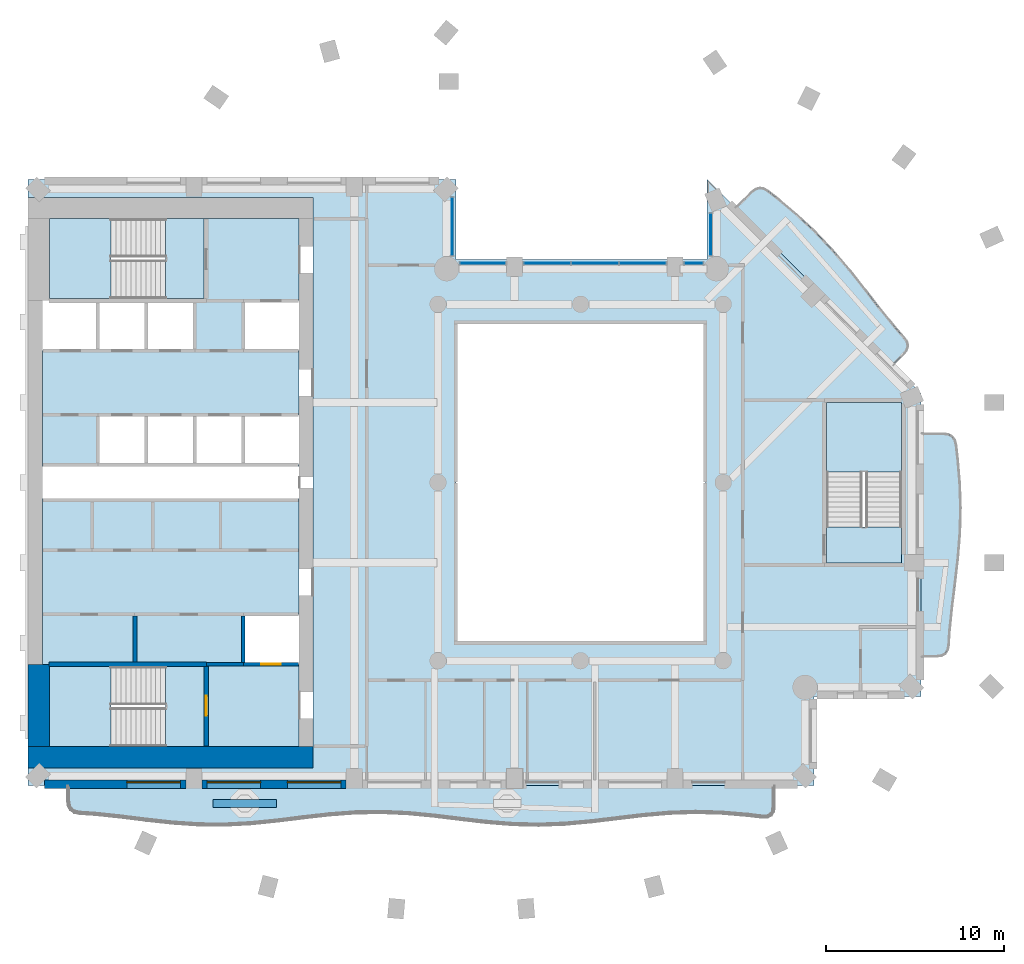
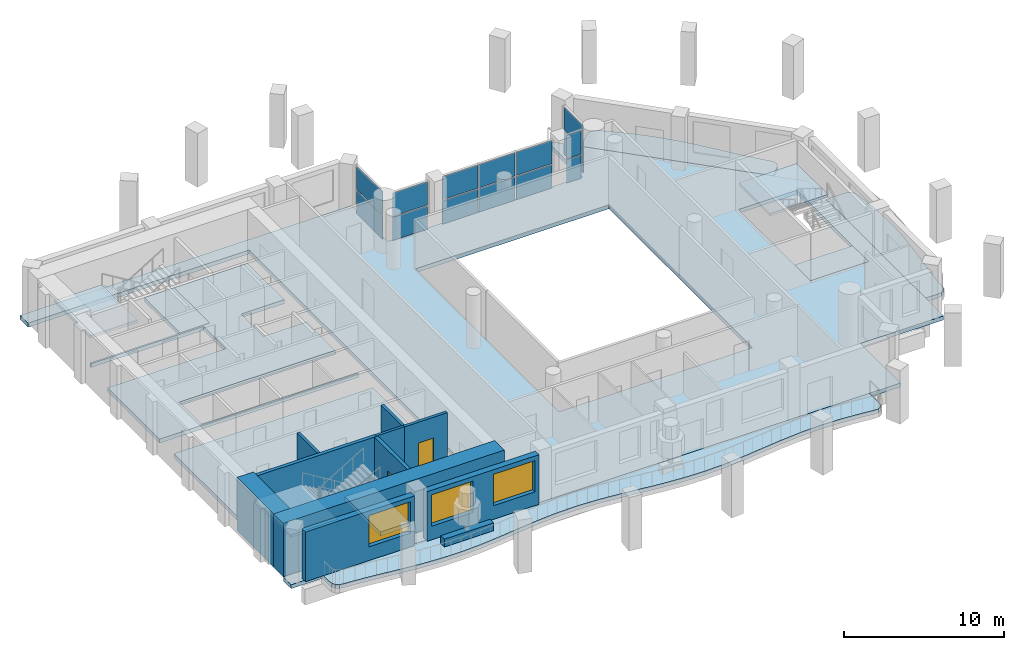
# One storey, part 3 of 14: 14 plates, 12 slabs, 11 walls, 3 windows, 2 doors, 5 openings, 8 elements without a shape of their own.
"""IFC4 building model written with IfcOpenShell, lengths in metres."""

from ifc_helpers import new_model, si_unit, direction, frame, frame_2d, origin, origin_2d, place, context, subcontext, project, spatial, polyline, rectangle, outline, extrude, material, layer, layer_set, type_object, element, fill, aggregate, save


model = new_model("IFC4")

# Units and contexts
model_context = context("Model", 3, precision=1e-05, world=origin(), true_north=direction((0.0, 1.0)))
body_context = subcontext(model_context, "Body", "Model", "MODEL_VIEW")
ifc_project = project(units=[si_unit("LENGTHUNIT", "METRE"), si_unit("AREAUNIT", "SQUARE_METRE"), si_unit("VOLUMEUNIT", "CUBIC_METRE"), si_unit("PLANEANGLEUNIT", "RADIAN"), si_unit("MASSUNIT", "GRAM", prefix="KILO")], contexts=[model_context])

# Site, building, storey
site_placement = place(None, origin())
site = spatial("IfcSite", under=ifc_project, at=site_placement, CompositionType="ELEMENT")
building_placement = place(site_placement, origin())
building = spatial("IfcBuilding", under=site, at=building_placement, Name="Cypress Arch Tower", CompositionType="ELEMENT")
storey_placement = place(building_placement, frame((0.0, 0.0, 185.10009765625)))
storey = spatial("IfcBuildingStorey", under=building, at=storey_placement, Name="L40", CompositionType="ELEMENT", Elevation=185.10009765625)

# Slabs
ifc_material_1 = material(Name="Concrete C40/50", Category="concrete")
ifc_layer_1 = layer(ifc_material_1, 0.300048828125)
ifc_layer_set_1 = layer_set([ifc_layer_1], Name="Balcony slab BS300")
slab_type_1 = type_object("IfcSlabType", Name="Balcony slab BS300", PredefinedType="USERDEFINED", material=ifc_layer_set_1)
slab_1_placement = place(storey_placement, frame((0.0, 0.0, -0.300048828125)))
element("IfcSlab", 1, at=slab_1_placement, inside=storey, type_object=slab_type_1, Name="Balcony slab L40-B01", ObjectType="BALCONY SLAB", PredefinedType="USERDEFINED", context=body_context, shape_type="SweptSolid", body=[
    extrude(outline(polyline([(-27.75, -17.0), (-27.75, -17.85107421875), (-27.708740234375, -18.142822265625), (-27.5849609375, -18.35693359375), (-27.378662109375, -18.49365234375), (-27.090087890625, -18.552734375), (-26.283447265625, -18.602294921875), (-24.816650390625, -18.758056640625), (-23.35009765625, -18.939697265625), (-21.88330078125, -19.100830078125), (-20.416748046875, -19.19970703125), (-18.949951171875, -19.21142578125), (-17.4833984375, -19.132568359375), (-16.0166015625, -18.983642578125), (-14.550048828125, -18.802734375), (-13.083251953125, -18.63623046875), (-11.61669921875, -18.52685546875), (-10.14990234375, -18.502685546875), (-8.683349609375, -18.56982421875), (-7.216552734375, -18.711181640625), (-5.75, -18.890380859375), (-4.283447265625, -19.0615234375), (-2.816650390625, -19.1806640625), (-1.35009765625, -19.217529296875), (0.11669921875, -19.162353515625), (1.583251953125, -19.029296875), (3.050048828125, -18.852783203125), (4.5166015625, -18.677734375), (5.9833984375, -18.549072265625), (7.449951171875, -18.5), (8.916748046875, -18.54296875), (10.38330078125, -18.6669921875), (11.18994140625, -18.76220703125), (11.478759765625, -18.7548828125), (11.68505859375, -18.654541015625), (11.808837890625, -18.46142578125), (11.85009765625, -18.175537109375), (11.85009765625, -17.0), (-27.75, -17.0)])), origin(), (0.0, 0.0, 1.0), 0.300048828125),
])
slab_2_placement = place(storey_placement, frame((0.0, 0.0, -0.300048828125)))
element("IfcSlab", 2, at=slab_2_placement, inside=storey, type_object=slab_type_1, Name="Balcony slab L40-B04", ObjectType="BALCONY SLAB", PredefinedType="USERDEFINED", context=body_context, shape_type="SweptSolid", body=[
    extrude(outline(polyline([(20.10009765625, -9.75), (20.986083984375, -9.75), (21.262451171875, -9.7109375), (21.465087890625, -9.59375), (21.59423828125, -9.3984375), (21.649658203125, -9.125), (21.695556640625, -8.361083984375), (21.839599609375, -6.97216796875), (22.010986328125, -5.583251953125), (22.170654296875, -4.1943359375), (22.28125, -2.8056640625), (22.31787109375, -1.416748046875), (22.271484375, -0.02783203125), (22.1533203125, 1.361083984375), (22.063720703125, 2.125), (21.9921875, 2.3984375), (21.851318359375, 2.59375), (21.640869140625, 2.7109375), (21.361083984375, 2.75), (20.10009765625, 2.75), (20.10009765625, -9.75)])), origin(), (0.0, 0.0, 1.0), 0.300048828125),
])
slab_3_placement = place(storey_placement, frame((0.0, 0.0, -0.300048828125)))
element("IfcSlab", 3, at=slab_3_placement, inside=storey, type_object=slab_type_1, Name="Balcony slab L40-B05", ObjectType="BALCONY SLAB", PredefinedType="USERDEFINED", context=body_context, shape_type="SweptSolid", body=[
    extrude(outline(polyline([(18.509033203125, 6.591064453125), (19.13671875, 7.218505859375), (19.303955078125, 7.441162109375), (19.3642578125, 7.666748046875), (19.317626953125, 7.8955078125), (19.163818359375, 8.127685546875), (18.6572265625, 8.69873046875), (17.77880859375, 9.780029296875), (16.920166015625, 10.880859375), (16.052978515625, 11.973388671875), (15.15185546875, 13.03173828125), (14.198486328125, 14.037841796875), (13.18701171875, 14.986083984375), (12.124755859375, 15.883056640625), (11.522705078125, 16.35888671875), (11.279541015625, 16.50146484375), (11.042236328125, 16.5400390625), (10.811279296875, 16.47412109375), (10.586181640625, 16.304443359375), (9.69091796875, 15.408935546875), (18.509033203125, 6.591064453125)])), origin(), (0.0, 0.0, 1.0), 0.300048828125),
])
ifc_material_2 = material(Name="Concrete C40/50", Category="concrete")
ifc_layer_2 = layer(ifc_material_2, 0.300048828125)
ifc_layer_set_2 = layer_set([ifc_layer_2], Name="Core floor CF300")
slab_type_2 = type_object("IfcSlabType", Name="Core floor CF300", PredefinedType="FLOOR", material=ifc_layer_set_2)
slab_4_placement = place(storey_placement, frame((0.0, 0.0, -0.300048828125)))
element("IfcSlab", 4, at=slab_4_placement, inside=storey, type_object=slab_type_2, Name="Core floor", PredefinedType="FLOOR", context=body_context, shape_type="SweptSolid", body=[
    extrude(outline(polyline([(-28.800048828125, -10.199951171875), (-29.199951171875, -10.199951171875), (-29.199951171875, -0.89990234375), (-15.199951171875, -0.89990234375), (-14.800048828125, -0.89990234375), (-14.800048828125, -7.39990234375), (-15.199951171875, -7.39990234375), (-17.919921875, -7.39990234375), (-17.919921875, -10.199951171875), (-15.199951171875, -10.199951171875), (-14.800048828125, -10.199951171875), (-14.800048828125, -14.800048828125), (-15.199951171875, -14.800048828125), (-20.125, -14.800048828125), (-20.125, -10.324951171875), (-22.27490234375, -10.324951171875), (-28.800048828125, -10.324951171875), (-28.800048828125, -10.199951171875)])), origin(), (0.0, 0.0, 1.0), 0.300048828125),
])
slab_5_placement = place(storey_placement, frame((0.0, 0.0, -0.300048828125)))
element("IfcSlab", 5, at=slab_5_placement, inside=storey, type_object=slab_type_2, Name="Core floor", PredefinedType="FLOOR", context=body_context, shape_type="SweptSolid", body=[
    extrude(outline(polyline([(-22.27490234375, -10.324951171875), (-22.27490234375, -14.800048828125), (-20.125, -14.800048828125), (-20.125, -10.324951171875), (-22.27490234375, -10.324951171875)])), origin(), (0.0, 0.0, 1.0), 0.300048828125),
])
slab_6_placement = place(storey_placement, frame((0.0, 0.0, -0.300048828125)))
element("IfcSlab", 6, at=slab_6_placement, inside=storey, type_object=slab_type_2, Name="Core floor", PredefinedType="FLOOR", context=body_context, shape_type="SweptSolid", body=[
    extrude(outline(polyline([(-20.125, 14.800048828125), (-22.27490234375, 14.800048828125), (-22.27490234375, 10.324951171875), (-20.125, 10.324951171875), (-20.125, 14.800048828125)])), origin(), (0.0, 0.0, 1.0), 0.300048828125),
])
slab_7_placement = place(storey_placement, frame((0.0, 0.0, -0.300048828125)))
element("IfcSlab", 7, at=slab_7_placement, inside=storey, type_object=slab_type_2, Name="Stair floor landing", PredefinedType="FLOOR", context=body_context, shape_type="SweptSolid", body=[
    extrude(outline(polyline([(19.0, -4.5), (19.0, -2.5), (14.800048828125, -2.5), (14.800048828125, -4.5), (19.0, -4.5)])), origin(), (0.0, 0.0, 1.0), 0.300048828125),
])
slab_8_placement = place(storey_placement, frame((0.0, 0.0, -0.300048828125)))
element("IfcSlab", 8, at=slab_8_placement, inside=storey, type_object=slab_type_2, Name="Core floor", PredefinedType="FLOOR", context=body_context, shape_type="SweptSolid", body=[
    extrude(outline(polyline([(-20.639892578125, 7.39990234375), (-20.639892578125, 10.199951171875), (-23.360107421875, 10.199951171875), (-26.080078125, 10.199951171875), (-28.800048828125, 10.199951171875), (-28.800048828125, 10.324951171875), (-22.27490234375, 10.324951171875), (-20.125, 10.324951171875), (-20.125, 14.800048828125), (-15.199951171875, 14.800048828125), (-14.800048828125, 14.800048828125), (-14.800048828125, 10.199951171875), (-15.199951171875, 10.199951171875), (-17.919921875, 10.199951171875), (-17.919921875, 7.39990234375), (-15.199951171875, 7.39990234375), (-14.800048828125, 7.39990234375), (-14.800048828125, 3.800048828125), (-15.199951171875, 3.800048828125), (-17.919921875, 3.800048828125), (-20.639892578125, 3.800048828125), (-23.360107421875, 3.800048828125), (-26.080078125, 3.800048828125), (-26.080078125, 1.5), (-26.080078125, 1.5), (-26.080078125, 1.0), (-25.679931640625, 1.0), (-23.360107421875, 1.0), (-20.639892578125, 1.0), (-17.919921875, 1.0), (-15.199951171875, 1.0), (-14.800048828125, 1.0), (-14.800048828125, 0.89990234375), (-15.199951171875, 0.89990234375), (-25.679931640625, 0.89990234375), (-26.47998046875, 0.89990234375), (-29.199951171875, 0.89990234375), (-29.199951171875, 1.5), (-29.199951171875, 7.39990234375), (-26.080078125, 7.39990234375), (-23.360107421875, 7.39990234375), (-20.639892578125, 7.39990234375)])), origin(), (0.0, 0.0, 1.0), 0.300048828125),
])

# Curtain wall, plates
ifc_material_3 = material(Name="Anodised aluminium, bronze finish, clear laminated double glazing", Category="aluminium")
curtain_wall_type = type_object("IfcCurtainWallType", Name="Curtain wall CW7 slot glazing", PredefinedType="NOTDEFINED", material=ifc_material_3)
curtain_wall_1_placement = place(storey_placement, origin())
curtain_wall_1 = element("IfcCurtainWall", 9, at=curtain_wall_1_placement, inside=storey, type_object=curtain_wall_type, Name="Curtain wall L40 slot B06.0", PredefinedType="NOTDEFINED")
ifc_material_4 = material(Name="Clear laminated double glazing", Category="glass")
ifc_layer_3 = layer(ifc_material_4, 0.0439453125)
ifc_layer_set_3 = layer_set([ifc_layer_3], Name="Glass panel CW7 44")
plate_type = type_object("IfcPlateType", Name="Glass panel CW7 44", PredefinedType="CURTAIN_PANEL", material=ifc_layer_set_3)
plate_1_placement = place(storey_placement, frame((8.300048828125, 13.912353515625, 0.0849609375), z_axis=(0.0, 0.0, 1.0), x_axis=(0.0, -1.0, 0.0)))
plate_1 = element("IfcPlate", 10, at=plate_1_placement, type_object=plate_type, Name="CW7 panel 1.1", PredefinedType="CURTAIN_PANEL", context=body_context, shape_type="SweptSolid", body=[
    extrude(rectangle(XDim=2.345458984375, YDim=0.0439453125, at=origin_2d()), origin(), (0.0, 0.0, 1.0), 1.7724609375),
])
plate_2_placement = place(storey_placement, frame((8.300048828125, 13.912353515625, 1.9423828125), z_axis=(0.0, 0.0, 1.0), x_axis=(0.0, -1.0, 0.0)))
plate_2 = element("IfcPlate", 11, at=plate_2_placement, type_object=plate_type, Name="CW7 panel 1.2", PredefinedType="CURTAIN_PANEL", context=body_context, shape_type="SweptSolid", body=[
    extrude(rectangle(XDim=2.345458984375, YDim=0.0439453125, at=origin_2d()), origin(), (0.0, 0.0, 1.0), 1.7724609375),
])
aggregate(curtain_wall_1, [plate_1, plate_2])

curtain_wall_2_placement = place(storey_placement, origin())
curtain_wall_2 = element("IfcCurtainWall", 12, at=curtain_wall_2_placement, inside=storey, type_object=curtain_wall_type, Name="Curtain wall L40 slot B07.0", PredefinedType="NOTDEFINED")
plate_3_placement = place(storey_placement, frame((7.34765625, 12.300048828125, 0.0849609375), z_axis=(0.0, 0.0, 1.0), x_axis=(-1.0, 0.0, 0.0)))
plate_3 = element("IfcPlate", 13, at=plate_3_placement, type_object=plate_type, Name="CW7 panel 1.1", PredefinedType="CURTAIN_PANEL", context=body_context, shape_type="SweptSolid", body=[
    extrude(rectangle(XDim=1.025390625, YDim=0.0439453125, at=origin_2d()), origin(), (0.0, 0.0, 1.0), 1.7724609375),
])
plate_4_placement = place(storey_placement, frame((7.34765625, 12.300048828125, 1.9423828125), z_axis=(0.0, 0.0, 1.0), x_axis=(-1.0, 0.0, 0.0)))
plate_4 = element("IfcPlate", 14, at=plate_4_placement, type_object=plate_type, Name="CW7 panel 1.2", PredefinedType="CURTAIN_PANEL", context=body_context, shape_type="SweptSolid", body=[
    extrude(rectangle(XDim=1.025390625, YDim=0.0439453125, at=origin_2d()), origin(), (0.0, 0.0, 1.0), 1.7724609375),
])
aggregate(curtain_wall_2, [plate_3, plate_4])

curtain_wall_3_placement = place(storey_placement, origin())
curtain_wall_3 = element("IfcCurtainWall", 15, at=curtain_wall_3_placement, inside=storey, type_object=curtain_wall_type, Name="Curtain wall L40 slot B07.1", PredefinedType="NOTDEFINED")
plate_5_placement = place(storey_placement, frame((4.478759765625, 12.300048828125, 0.0849609375), z_axis=(0.0, 0.0, 1.0), x_axis=(-1.0, 0.0, 0.0)))
plate_5 = element("IfcPlate", 16, at=plate_5_placement, type_object=plate_type, Name="CW7 panel 1.1", PredefinedType="CURTAIN_PANEL", context=body_context, shape_type="SweptSolid", body=[
    extrude(rectangle(XDim=2.572509765625, YDim=0.0439453125, at=origin_2d()), origin(), (0.0, 0.0, 1.0), 1.7724609375),
])
plate_6_placement = place(storey_placement, frame((4.478759765625, 12.300048828125, 1.9423828125), z_axis=(0.0, 0.0, 1.0), x_axis=(-1.0, 0.0, 0.0)))
plate_6 = element("IfcPlate", 17, at=plate_6_placement, type_object=plate_type, Name="CW7 panel 1.2", PredefinedType="CURTAIN_PANEL", context=body_context, shape_type="SweptSolid", body=[
    extrude(rectangle(XDim=2.572509765625, YDim=0.0439453125, at=origin_2d()), origin(), (0.0, 0.0, 1.0), 1.7724609375),
])
plate_7_placement = place(storey_placement, frame((1.800048828125, 12.300048828125, 0.0849609375), z_axis=(0.0, 0.0, 1.0), x_axis=(-1.0, 0.0, 0.0)))
plate_7 = element("IfcPlate", 18, at=plate_7_placement, type_object=plate_type, Name="CW7 panel 2.1", PredefinedType="CURTAIN_PANEL", context=body_context, shape_type="SweptSolid", body=[
    extrude(rectangle(XDim=2.614990234375, YDim=0.0439453125, at=origin_2d()), origin(), (0.0, 0.0, 1.0), 1.7724609375),
])
plate_8_placement = place(storey_placement, frame((1.800048828125, 12.300048828125, 1.9423828125), z_axis=(0.0, 0.0, 1.0), x_axis=(-1.0, 0.0, 0.0)))
plate_8 = element("IfcPlate", 19, at=plate_8_placement, type_object=plate_type, Name="CW7 panel 2.2", PredefinedType="CURTAIN_PANEL", context=body_context, shape_type="SweptSolid", body=[
    extrude(rectangle(XDim=2.614990234375, YDim=0.0439453125, at=origin_2d()), origin(), (0.0, 0.0, 1.0), 1.7724609375),
])
plate_9_placement = place(storey_placement, frame((-0.878662109375, 12.300048828125, 0.0849609375), z_axis=(0.0, 0.0, 1.0), x_axis=(-1.0, 0.0, 0.0)))
plate_9 = element("IfcPlate", 20, at=plate_9_placement, type_object=plate_type, Name="CW7 panel 3.1", PredefinedType="CURTAIN_PANEL", context=body_context, shape_type="SweptSolid", body=[
    extrude(rectangle(XDim=2.572509765625, YDim=0.0439453125, at=origin_2d()), origin(), (0.0, 0.0, 1.0), 1.7724609375),
])
plate_10_placement = place(storey_placement, frame((-0.878662109375, 12.300048828125, 1.9423828125), z_axis=(0.0, 0.0, 1.0), x_axis=(-1.0, 0.0, 0.0)))
plate_10 = element("IfcPlate", 21, at=plate_10_placement, type_object=plate_type, Name="CW7 panel 3.2", PredefinedType="CURTAIN_PANEL", context=body_context, shape_type="SweptSolid", body=[
    extrude(rectangle(XDim=2.572509765625, YDim=0.0439453125, at=origin_2d()), origin(), (0.0, 0.0, 1.0), 1.7724609375),
])
aggregate(curtain_wall_3, [plate_5, plate_6, plate_7, plate_8, plate_9, plate_10])

curtain_wall_4_placement = place(storey_placement, origin())
curtain_wall_4 = element("IfcCurtainWall", 22, at=curtain_wall_4_placement, inside=storey, type_object=curtain_wall_type, Name="Curtain wall L40 slot B07.2", PredefinedType="NOTDEFINED")
plate_11_placement = place(storey_placement, frame((-4.497802734375, 12.300048828125, 0.0849609375), z_axis=(0.0, 0.0, 1.0), x_axis=(-1.0, 0.0, 0.0)))
plate_11 = element("IfcPlate", 23, at=plate_11_placement, type_object=plate_type, Name="CW7 panel 1.1", PredefinedType="CURTAIN_PANEL", context=body_context, shape_type="SweptSolid", body=[
    extrude(rectangle(XDim=2.525390625, YDim=0.0439453125, at=origin_2d()), origin(), (0.0, 0.0, 1.0), 1.7724609375),
])
plate_12_placement = place(storey_placement, frame((-4.497802734375, 12.300048828125, 1.9423828125), z_axis=(0.0, 0.0, 1.0), x_axis=(-1.0, 0.0, 0.0)))
plate_12 = element("IfcPlate", 24, at=plate_12_placement, type_object=plate_type, Name="CW7 panel 1.2", PredefinedType="CURTAIN_PANEL", context=body_context, shape_type="SweptSolid", body=[
    extrude(rectangle(XDim=2.525390625, YDim=0.0439453125, at=origin_2d()), origin(), (0.0, 0.0, 1.0), 1.7724609375),
])
aggregate(curtain_wall_4, [plate_11, plate_12])

curtain_wall_5_placement = place(storey_placement, origin())
curtain_wall_5 = element("IfcCurtainWall", 25, at=curtain_wall_5_placement, inside=storey, type_object=curtain_wall_type, Name="Curtain wall L40 slot B08.0", PredefinedType="NOTDEFINED")
plate_13_placement = place(storey_placement, frame((-6.199951171875, 14.359130859375, 0.0849609375), z_axis=(0.0, 0.0, 1.0), x_axis=(0.0, 1.0, 0.0)))
plate_13 = element("IfcPlate", 26, at=plate_13_placement, type_object=plate_type, Name="CW7 panel 1.1", PredefinedType="CURTAIN_PANEL", context=body_context, shape_type="SweptSolid", body=[
    extrude(rectangle(XDim=3.239013671875, YDim=0.0439453125, at=origin_2d()), origin(), (0.0, 0.0, 1.0), 1.7724609375),
])
plate_14_placement = place(storey_placement, frame((-6.199951171875, 14.359130859375, 1.9423828125), z_axis=(0.0, 0.0, 1.0), x_axis=(0.0, 1.0, 0.0)))
plate_14 = element("IfcPlate", 27, at=plate_14_placement, type_object=plate_type, Name="CW7 panel 1.2", PredefinedType="CURTAIN_PANEL", context=body_context, shape_type="SweptSolid", body=[
    extrude(rectangle(XDim=3.239013671875, YDim=0.0439453125, at=origin_2d()), origin(), (0.0, 0.0, 1.0), 1.7724609375),
])
aggregate(curtain_wall_5, [plate_13, plate_14])

# Slab
ifc_material_5 = material(Name="Concrete C40/50", Category="concrete")
ifc_layer_4 = layer(ifc_material_5, 0.300048828125)
ifc_layer_set_4 = layer_set([ifc_layer_4], Name="PT flat slab 300 Concrete C40/50")
slab_type_3 = type_object("IfcSlabType", Name="PT flat slab 300 Concrete C40/50", PredefinedType="FLOOR", material=ifc_layer_set_4)
slab_9_placement = place(storey_placement, frame((0.0, 0.0, -0.300048828125)))
element("IfcSlab", 28, at=slab_9_placement, inside=storey, type_object=slab_type_3, Name="Floor slab L40", PredefinedType="FLOOR", context=body_context, shape_type="SweptSolid", body=[
    extrude(outline(polyline([(-30.0, 17.0), (-6.0, 17.0), (-6.0, 12.5), (8.10009765625, 12.5), (8.10009765625, 17.0), (20.10009765625, 5.0), (20.10009765625, -12.0), (14.10009765625, -12.0), (14.10009765625, -17.0), (-30.0, -17.0), (-30.0, -16.0), (-14.0, -16.0), (-14.0, 16.0), (-30.0, 16.0), (-30.0, 17.0)]), holes=[polyline([(-6.0, -9.0), (8.0, -9.0), (8.0, 9.0), (-6.0, 9.0), (-6.0, -9.0)]), polyline([(14.800048828125, -4.5), (19.0, -4.5), (19.0, 4.5), (14.800048828125, 4.5), (14.800048828125, -4.5)])]), origin(), (0.0, 0.0, 1.0), 0.300048828125),
])

# Stair, slab
ifc_material_6 = material(Name="Concrete C40/50", Category="concrete")
stair_type_1 = type_object("IfcStairType", Name="Exit stair ES1708-215", PredefinedType="HALF_TURN_STAIR", material=ifc_material_6)
stair_1_placement = place(storey_placement, origin())
stair_1 = element("IfcStair", 29, at=stair_1_placement, inside=storey, type_object=stair_type_1, Name="L40 Exit stair A", PredefinedType="HALF_TURN_STAIR")
ifc_material_7 = material(Name="Concrete C40/50", Category="concrete")
ifc_layer_5 = layer(ifc_material_7, 0.199951171875)
ifc_layer_set_5 = layer_set([ifc_layer_5], Name="Stair landing SL200")
slab_type_4 = type_object("IfcSlabType", Name="Stair landing SL200", PredefinedType="LANDING", material=ifc_layer_set_5)
slab_10_placement = place(storey_placement, frame((0.0, 0.0, 1.849853515625)))
slab_10 = element("IfcSlab", 30, at=slab_10_placement, type_object=slab_type_4, Name="A landing 1", PredefinedType="LANDING", context=body_context, shape_type="SweptSolid", body=[
    extrude(outline(polyline([(-25.35498046875, -10.324951171875), (-28.800048828125, -10.324951171875), (-28.800048828125, -14.800048828125), (-25.35498046875, -14.800048828125), (-25.35498046875, -10.324951171875)])), origin(), (0.0, 0.0, 1.0), 0.199951171875),
])
aggregate(stair_1, [slab_10])

stair_2_placement = place(storey_placement, origin())
stair_2 = element("IfcStair", 31, at=stair_2_placement, inside=storey, type_object=stair_type_1, Name="L40 Exit stair B", PredefinedType="HALF_TURN_STAIR")
slab_11_placement = place(storey_placement, frame((0.0, 0.0, 1.849853515625)))
slab_11 = element("IfcSlab", 32, at=slab_11_placement, type_object=slab_type_4, Name="B landing 1", PredefinedType="LANDING", context=body_context, shape_type="SweptSolid", body=[
    extrude(outline(polyline([(-25.35498046875, 14.800048828125), (-28.800048828125, 14.800048828125), (-28.800048828125, 10.324951171875), (-25.35498046875, 10.324951171875), (-25.35498046875, 14.800048828125)])), origin(), (0.0, 0.0, 1.0), 0.199951171875),
])
aggregate(stair_2, [slab_11])

ifc_material_8 = material(Name="Concrete C40/50", Category="concrete")
stair_type_2 = type_object("IfcStairType", Name="Exit stair ES1708-200", PredefinedType="HALF_TURN_STAIR", material=ifc_material_8)
stair_3_placement = place(storey_placement, origin())
stair_3 = element("IfcStair", 33, at=stair_3_placement, inside=storey, type_object=stair_type_2, Name="L40 Exit stair C", PredefinedType="HALF_TURN_STAIR")
slab_12_placement = place(storey_placement, frame((0.0, 0.0, 1.849853515625)))
slab_12 = element("IfcSlab", 34, at=slab_12_placement, type_object=slab_type_4, Name="C landing 1", PredefinedType="LANDING", context=body_context, shape_type="SweptSolid", body=[
    extrude(outline(polyline([(19.0, 0.580078125), (19.0, 4.5), (14.800048828125, 4.5), (14.800048828125, 0.580078125), (19.0, 0.580078125)])), origin(), (0.0, 0.0, 1.0), 0.199951171875),
])
aggregate(stair_3, [slab_12])

# Wall
ifc_material_9 = material(Name="Concrete C40/50, waterproofed", Category="concrete")
ifc_layer_6 = layer(ifc_material_9, 0.449951171875)
ifc_layer_set_6 = layer_set([ifc_layer_6], Name="Balcony planter wall PW450")
wall_type_1 = type_object("IfcWallType", Name="Balcony planter wall PW450", PredefinedType="SOLIDWALL", material=ifc_layer_set_6)
wall_1_placement = place(storey_placement, frame((-19.6298828125, -18.0, 0.0), z_axis=(0.0, 0.0, 1.0), x_axis=(1.0, 0.0, 0.0)))
element("IfcWall", 35, at=wall_1_placement, inside=storey, type_object=wall_type_1, Name="Balcony planter wall L40-B01.1", PredefinedType="SOLIDWALL", context=body_context, shape_type="SweptSolid", body=[
    extrude(rectangle(XDim=3.559814453125, YDim=0.449951171875, at=frame_2d((1.77978515625, 0.0))), origin(), (0.0, 0.0, 1.0), 0.599853515625),
])

# Wall, opening, window
ifc_material_10 = material(Name="Brick (red buff blend)", Category="masonry")
ifc_layer_7 = layer(ifc_material_10, 0.449951171875)
ifc_layer_set_7 = layer_set([ifc_layer_7], Name="Brick pier and spandrel wall BW450")
wall_type_2 = type_object("IfcWallType", Name="Brick pier and spandrel wall BW450", PredefinedType="SOLIDWALL", material=ifc_layer_set_7)
wall_2_placement = place(storey_placement, frame((-29.063720703125, -16.925048828125, 0.0), z_axis=(0.0, 0.0, 1.0), x_axis=(1.0, 0.0, 0.0)))
wall_2 = element("IfcWall", 36, at=wall_2_placement, inside=storey, type_object=wall_type_2, Name="Brick wall L40 B01.0", PredefinedType="SOLIDWALL", context=body_context, shape_type="SweptSolid", body=[
    extrude(rectangle(XDim=7.913818359375, YDim=0.449951171875, at=frame_2d((3.95703125, 0.0))), origin(), (0.0, 0.0, 1.0), 3.7998046875),
])
opening_1_placement = place(wall_2_placement, frame((4.613525390625, 0.0, 1.050048828125)))
opening_1 = element("IfcOpeningElement", 37, at=opening_1_placement, cuts=wall_2, Name="Opening W300OD", PredefinedType="OPENING", context=body_context, shape_type="SweptSolid", body=[
    extrude(rectangle(XDim=3.0, YDim=2.39990234375, at=frame_2d((1.5, 1.199951171875))), frame((0.0, 0.23486328125, 0.0), z_axis=(0.0, -1.0, 0.0), x_axis=(1.0, 0.0, 0.0)), (0.0, 0.0, 1.0), 0.469970703125),
])
ifc_material_11 = material(Name="Anodised aluminium, bronze finish, laminated low-emissivity double glazing, large-missile impact rated", Category="aluminium")
window_type = type_object("IfcWindowType", Name="Window Office 3000x2400 debris-rated", PartitioningType="SINGLE_PANEL", PredefinedType="WINDOW", material=ifc_material_11)
window_1_placement = place(opening_1_placement, origin())
window_1 = element("IfcWindow", 38, at=window_1_placement, inside=storey, type_object=window_type, Name="Window L40 B01.0.2", OverallHeight=2.39990234375, OverallWidth=3.0, PartitioningType="SINGLE_PANEL", PredefinedType="WINDOW", context=body_context, shape_type="SweptSolid", body=[
    extrude(rectangle(XDim=3.0, YDim=2.39990234375, at=frame_2d((1.5, 1.199951171875))), frame((0.0, 0.135009765625, 0.0), z_axis=(0.0, -1.0, 0.0), x_axis=(1.0, 0.0, 0.0)), (0.0, 0.0, 1.0), 0.06005859375),
])
fill(opening_1, window_1)

# Wall, openings, windows
wall_3_placement = place(storey_placement, frame((-20.25, -16.925048828125, 0.0), z_axis=(0.0, 0.0, 1.0), x_axis=(1.0, 0.0, 0.0)))
wall_3 = element("IfcWall", 39, at=wall_3_placement, inside=storey, type_object=wall_type_2, Name="Brick wall L40 B01.1", PredefinedType="SOLIDWALL", context=body_context, shape_type="SweptSolid", body=[
    extrude(rectangle(XDim=8.10009765625, YDim=0.449951171875, at=frame_2d((4.050048828125, 0.0))), origin(), (0.0, 0.0, 1.0), 3.7998046875),
])
opening_2_placement = place(wall_3_placement, frame((0.300048828125, 0.0, 1.050048828125)))
opening_2 = element("IfcOpeningElement", 40, at=opening_2_placement, cuts=wall_3, Name="Opening W300OD", PredefinedType="OPENING", context=body_context, shape_type="SweptSolid", body=[
    extrude(rectangle(XDim=3.0, YDim=2.39990234375, at=frame_2d((1.5, 1.199951171875))), frame((0.0, 0.23486328125, 0.0), z_axis=(0.0, -1.0, 0.0), x_axis=(1.0, 0.0, 0.0)), (0.0, 0.0, 1.0), 0.469970703125),
])
opening_3_placement = place(wall_3_placement, frame((4.800048828125, 0.0, 1.050048828125)))
opening_3 = element("IfcOpeningElement", 41, at=opening_3_placement, cuts=wall_3, Name="Opening W300OD", PredefinedType="OPENING", context=body_context, shape_type="SweptSolid", body=[
    extrude(rectangle(XDim=3.0, YDim=2.39990234375, at=frame_2d((1.5, 1.199951171875))), frame((0.0, 0.23486328125, 0.0), z_axis=(0.0, -1.0, 0.0), x_axis=(1.0, 0.0, 0.0)), (0.0, 0.0, 1.0), 0.469970703125),
])
window_2_placement = place(opening_2_placement, origin())
window_2 = element("IfcWindow", 42, at=window_2_placement, inside=storey, type_object=window_type, Name="Window L40 B01.1.1", OverallHeight=2.39990234375, OverallWidth=3.0, PartitioningType="SINGLE_PANEL", PredefinedType="WINDOW", context=body_context, shape_type="SweptSolid", body=[
    extrude(rectangle(XDim=3.0, YDim=2.39990234375, at=frame_2d((1.5, 1.199951171875))), frame((0.0, 0.135009765625, 0.0), z_axis=(0.0, -1.0, 0.0), x_axis=(1.0, 0.0, 0.0)), (0.0, 0.0, 1.0), 0.06005859375),
])
fill(opening_2, window_2)
window_3_placement = place(opening_3_placement, origin())
window_3 = element("IfcWindow", 43, at=window_3_placement, inside=storey, type_object=window_type, Name="Window L40 B01.1.2", OverallHeight=2.39990234375, OverallWidth=3.0, PartitioningType="SINGLE_PANEL", PredefinedType="WINDOW", context=body_context, shape_type="SweptSolid", body=[
    extrude(rectangle(XDim=3.0, YDim=2.39990234375, at=frame_2d((1.5, 1.199951171875))), frame((0.0, 0.135009765625, 0.0), z_axis=(0.0, -1.0, 0.0), x_axis=(1.0, 0.0, 0.0)), (0.0, 0.0, 1.0), 0.06005859375),
])
fill(opening_3, window_3)

# Walls
ifc_material_12 = material(Name="Concrete C70/85", Category="concrete")
ifc_layer_8 = layer(ifc_material_12, 1.199951171875)
ifc_layer_set_8 = layer_set([ifc_layer_8], Name="Core wall CW1200 C70/85")
wall_type_3 = type_object("IfcWallType", Name="Core wall CW1200 C70/85", PredefinedType="SHEAR", material=ifc_layer_set_8)
wall_4_placement = place(storey_placement, frame((-30.0, -15.39990234375, 0.0), z_axis=(0.0, 0.0, 1.0), x_axis=(1.0, 0.0, 0.0)))
element("IfcWall", 44, at=wall_4_placement, inside=storey, type_object=wall_type_3, Name="Core wall", PredefinedType="SHEAR", context=body_context, shape_type="SweptSolid", body=[
    extrude(rectangle(XDim=16.0, YDim=1.199951171875, at=frame_2d((8.0, 0.0))), origin(), (0.0, 0.0, 1.0), 4.099853515625),
])
wall_5_placement = place(storey_placement, frame((-29.39990234375, -14.800048828125, 0.0), z_axis=(0.0, 0.0, 1.0), x_axis=(0.0, 1.0, 0.0)))
element("IfcWall", 45, at=wall_5_placement, inside=storey, type_object=wall_type_3, Name="Core wall", PredefinedType="SHEAR", context=body_context, shape_type="SweptSolid", body=[
    extrude(rectangle(XDim=4.60009765625, YDim=1.199951171875, at=frame_2d((2.300048828125, 0.0))), origin(), (0.0, 0.0, 1.0), 4.099853515625),
])
ifc_material_13 = material(Name="Reinforced blockwork, plastered, rated", Category="masonry")
ifc_layer_9 = layer(ifc_material_13, 0.199951171875)
ifc_layer_set_9 = layer_set([ifc_layer_9], Name="Plant and riser wall PL200")
wall_type_4 = type_object("IfcWallType", Name="Plant and riser wall PL200", PredefinedType="PARTITIONING", material=ifc_layer_set_9)
wall_6_placement = place(storey_placement, frame((-24.0, -10.074951171875, 0.0), z_axis=(0.0, 0.0, 1.0), x_axis=(0.0, 1.0, 0.0)))
element("IfcWall", 46, at=wall_6_placement, inside=storey, type_object=wall_type_4, Name="Plant and riser wall", PredefinedType="PARTITIONING", context=body_context, shape_type="SweptSolid", body=[
    extrude(rectangle(XDim=2.574951171875, YDim=0.199951171875, at=frame_2d((1.28759765625, 0.0))), origin(), (0.0, 0.0, 1.0), 3.7998046875),
])
wall_7_placement = place(storey_placement, frame((-20.0, -10.199951171875, 0.0), z_axis=(0.0, 0.0, 1.0), x_axis=(1.0, 0.0, 0.0)))
element("IfcWall", 47, at=wall_7_placement, inside=storey, type_object=wall_type_4, Name="Plant and riser wall", PredefinedType="PARTITIONING", context=body_context, shape_type="SweptSolid", body=[
    extrude(rectangle(XDim=2.080078125, YDim=0.199951171875, at=frame_2d((1.0400390625, 0.0))), origin(), (0.0, 0.0, 1.0), 3.7998046875),
])
ifc_material_14 = material(Name="Concrete C50/60", Category="concrete")
ifc_layer_10 = layer(ifc_material_14, 0.199951171875)
ifc_layer_set_10 = layer_set([ifc_layer_10], Name="Shaft wall SH200")
wall_type_5 = type_object("IfcWallType", Name="Shaft wall SH200", PredefinedType="SHEAR", material=ifc_layer_set_10)
wall_8_placement = place(storey_placement, frame((-17.919921875, -10.10009765625, 0.0), z_axis=(0.0, 0.0, 1.0), x_axis=(0.0, 1.0, 0.0)))
element("IfcWall", 48, at=wall_8_placement, inside=storey, type_object=wall_type_5, Name="Shaft wall", PredefinedType="SHEAR", context=body_context, shape_type="SweptSolid", body=[
    extrude(rectangle(XDim=2.60009765625, YDim=0.199951171875, at=frame_2d((1.300048828125, 0.0))), origin(), (0.0, 0.0, 1.0), 3.7998046875),
])

# Wall, opening, door
wall_9_placement = place(storey_placement, frame((-17.919921875, -10.199951171875, 0.0), z_axis=(0.0, 0.0, 1.0), x_axis=(1.0, 0.0, 0.0)))
wall_9 = element("IfcWall", 49, at=wall_9_placement, inside=storey, type_object=wall_type_5, Name="Shaft wall", PredefinedType="SHEAR", context=body_context, shape_type="SweptSolid", body=[
    extrude(rectangle(XDim=3.08984375, YDim=0.199951171875, at=frame_2d((1.544921875, 0.0))), origin(), (0.0, 0.0, 1.0), 3.7998046875),
])
opening_4_placement = place(wall_9_placement, frame((1.0, 0.0, 0.0)))
opening_4 = element("IfcOpeningElement", 50, at=opening_4_placement, cuts=wall_9, Name="Opening LD-FL1", PredefinedType="OPENING", context=body_context, shape_type="SweptSolid", body=[
    extrude(rectangle(XDim=1.10009765625, YDim=2.199951171875, at=frame_2d((0.550048828125, 1.10009765625))), frame((0.0, 0.10986328125, 0.0), z_axis=(0.0, -1.0, 0.0), x_axis=(1.0, 0.0, 0.0)), (0.0, 0.0, 1.0), 0.219970703125),
])
ifc_material_15 = material(Name="Stainless steel centre-opening landing door, rated", Category="steel")
door_type_1 = type_object("IfcDoorType", Name="Lift landing door LD 1100x2200", OperationType="DOUBLE_DOOR_SLIDING", PredefinedType="DOOR", material=ifc_material_15)
door_1_placement = place(opening_4_placement, origin())
door_1 = element("IfcDoor", 51, at=door_1_placement, inside=storey, type_object=door_type_1, Name="Lift landing doors FL1", OperationType="DOUBLE_DOOR_SLIDING", OverallHeight=2.199951171875, OverallWidth=1.10009765625, PredefinedType="DOOR", context=body_context, shape_type="SweptSolid", body=[
    extrude(rectangle(XDim=1.10009765625, YDim=2.199951171875, at=frame_2d((0.550048828125, 1.10009765625))), frame((0.0, 0.02490234375, 0.0), z_axis=(0.0, -1.0, 0.0), x_axis=(1.0, 0.0, 0.0)), (0.0, 0.0, 1.0), 0.050048828125),
])
fill(opening_4, door_1)

# Wall
ifc_material_16 = material(Name="Concrete C50/60", Category="concrete")
ifc_layer_11 = layer(ifc_material_16, 0.25)
ifc_layer_set_11 = layer_set([ifc_layer_11], Name="Stair enclosure wall SW250")
wall_type_6 = type_object("IfcWallType", Name="Stair enclosure wall SW250", PredefinedType="SHEAR", material=ifc_layer_set_11)
wall_10_placement = place(storey_placement, frame((-28.81005859375, -10.199951171875, 0.0), z_axis=(0.0, 0.0, 1.0), x_axis=(1.0, 0.0, 0.0)))
element("IfcWall", 52, at=wall_10_placement, inside=storey, type_object=wall_type_6, Name="Stair enclosure wall", PredefinedType="SHEAR", context=body_context, shape_type="SweptSolid", body=[
    extrude(rectangle(XDim=8.81005859375, YDim=0.25, at=frame_2d((4.405029296875, 0.0))), origin(), (0.0, 0.0, 1.0), 3.7998046875),
])

# Wall, opening, door
wall_11_placement = place(storey_placement, frame((-20.0, -14.77001953125, 0.0), z_axis=(0.0, 0.0, 1.0), x_axis=(0.0, 1.0, 0.0)))
wall_11 = element("IfcWall", 53, at=wall_11_placement, inside=storey, type_object=wall_type_6, Name="Stair enclosure wall", PredefinedType="SHEAR", context=body_context, shape_type="SweptSolid", body=[
    extrude(rectangle(XDim=4.445068359375, YDim=0.25, at=frame_2d((2.22265625, 0.0))), origin(), (0.0, 0.0, 1.0), 3.7998046875),
])
opening_5_placement = place(wall_11_placement, frame((1.699951171875, 0.0, 0.0)))
opening_5 = element("IfcOpeningElement", 54, at=opening_5_placement, cuts=wall_11, Name="Opening D06", PredefinedType="OPENING", context=body_context, shape_type="SweptSolid", body=[
    extrude(rectangle(XDim=1.10009765625, YDim=2.199951171875, at=frame_2d((0.550048828125, 1.10009765625))), frame((0.0, 0.135009765625, 0.0), z_axis=(0.0, -1.0, 0.0), x_axis=(1.0, 0.0, 0.0)), (0.0, 0.0, 1.0), 0.27001953125),
])
ifc_material_17 = material(Name="Steel door, fire resisting, panic bar", Category="steel")
door_type_2 = type_object("IfcDoorType", Name="Stair door D06 1100x2200", OperationType="SINGLE_SWING_LEFT", PredefinedType="DOOR", material=ifc_material_17)
door_2_placement = place(opening_5_placement, origin())
door_2 = element("IfcDoor", 55, at=door_2_placement, inside=storey, type_object=door_type_2, Name="Stair door", OperationType="SINGLE_SWING_RIGHT", OverallHeight=2.199951171875, OverallWidth=1.10009765625, PredefinedType="DOOR", context=body_context, shape_type="SweptSolid", body=[
    extrude(rectangle(XDim=1.10009765625, YDim=2.199951171875, at=frame_2d((0.550048828125, 1.10009765625))), frame((0.0, 0.02490234375, 0.0), z_axis=(0.0, -1.0, 0.0), x_axis=(1.0, 0.0, 0.0)), (0.0, 0.0, 1.0), 0.050048828125),
])
fill(opening_5, door_2)

save(model, "model.ifc")
